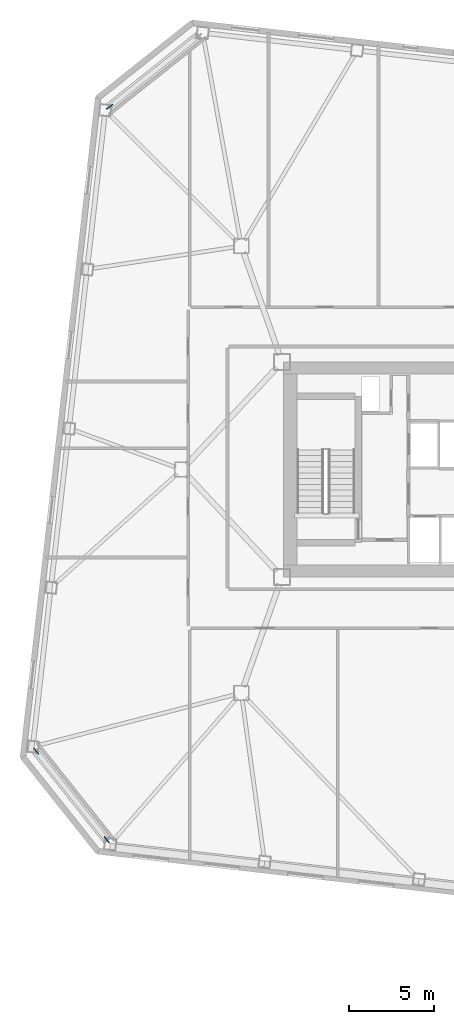
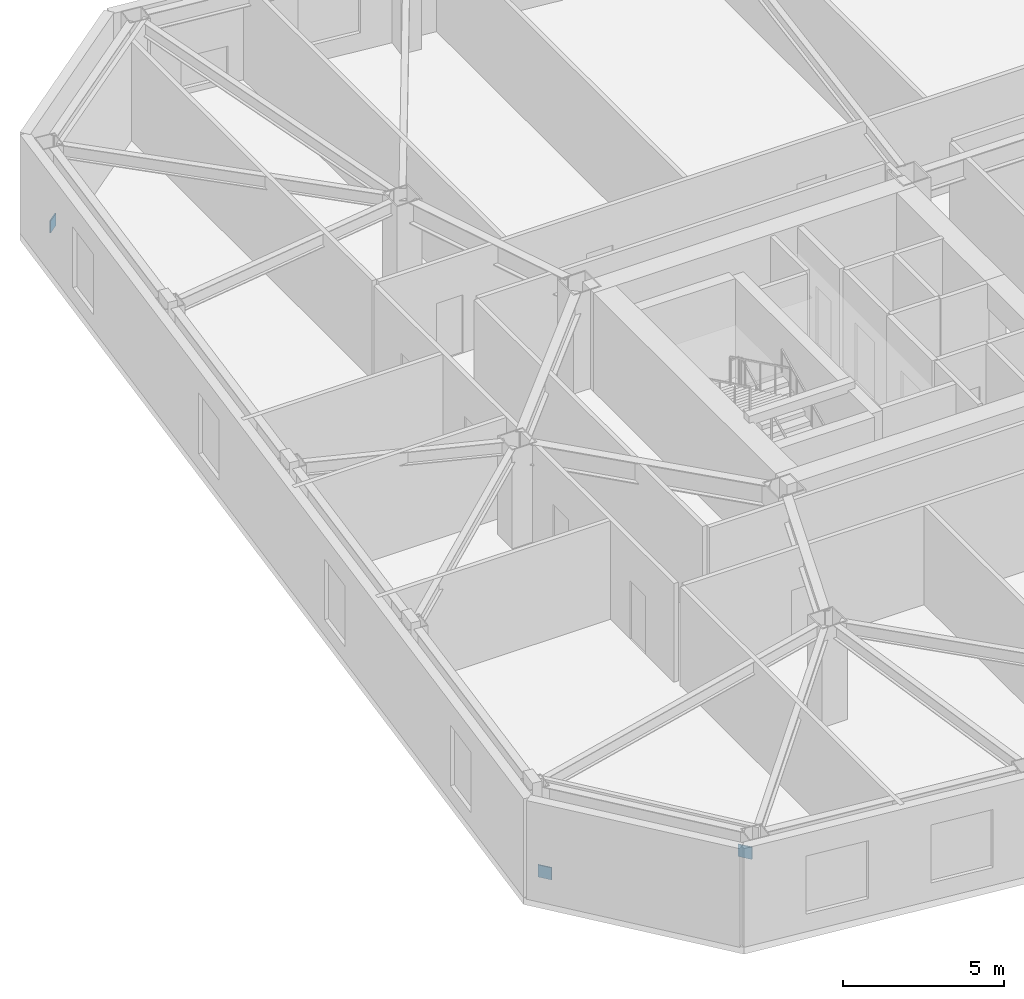
# One storey, part 17 of 21: 3 discrete accessories.
"""IFC4 building model written with IfcOpenShell, lengths in metres."""

from ifc_helpers import new_model, si_unit, direction, frame, origin, origin_2d, place, context, subcontext, project, spatial, rectangle, extrude, material, type_object, element, save


model = new_model("IFC4")

# Units and contexts
model_context = context("Model", 3, precision=1e-05, world=origin(), true_north=direction((0.0, 1.0)))
body_context = subcontext(model_context, "Body", "Model", "MODEL_VIEW")
ifc_project = project(units=[si_unit("LENGTHUNIT", "METRE"), si_unit("AREAUNIT", "SQUARE_METRE"), si_unit("VOLUMEUNIT", "CUBIC_METRE"), si_unit("PLANEANGLEUNIT", "RADIAN"), si_unit("MASSUNIT", "GRAM", prefix="KILO")], contexts=[model_context])

# Site, building, storey
site_placement = place(None, origin())
site = spatial("IfcSite", under=ifc_project, at=site_placement, CompositionType="ELEMENT")
building_placement = place(site_placement, origin())
building = spatial("IfcBuilding", under=site, at=building_placement, Name="Tavrogorsk Clinical Tower", CompositionType="ELEMENT")
storey_placement = place(building_placement, frame((0.0, 0.0, 121.39990234375)))
storey = spatial("IfcBuildingStorey", under=building, at=storey_placement, Name="L27", CompositionType="ELEMENT", Elevation=121.39990234375)

# Discrete accessories
ifc_material = material(Name="Structural steel S440", Category="steel")
discrete_accessory_type = type_object("IfcDiscreteAccessoryType", Name="GussetPlateBracket_25", PredefinedType="BRACKET", material=ifc_material)
for number, where, z_axis, x_axis, name in (
    (1, (-32.27587890625, 21.431884765625, 0.195068359375), (0.0, 0.0, 1.0), (0.782608156852, 0.622514636638, 0.0), "L27 Brace Gusset Plate EXOCRN-L27-3-A"),
    (2, (-36.613037109375, -16.63623046875, 0.195068359375), (0.0, 0.0, 1.0), (0.622514636638, -0.782608156852, 0.0), "L27 Brace Gusset Plate EXOCRN-L27-4-A"),
    (3, (-32.452880859375, -21.866455078125, 2.68505859375), (0.0, 0.0, 1.0), (0.622514636638, -0.782608156852, 0.0), "L27 Brace Gusset Plate EXOCRN-L27-4-B"),
):
    element("IfcDiscreteAccessory", number, at=place(storey_placement, frame(where, z_axis=z_axis, x_axis=x_axis)), inside=storey, type_object=discrete_accessory_type, Name=name, PredefinedType="BRACKET", context=body_context, shape_type="SweptSolid", body=[
        extrude(rectangle(XDim=0.4599609375, YDim=0.0400390625, at=origin_2d()), origin(), (0.0, 0.0, 1.0), 0.4599609375),
    ])

save(model, "model.ifc")
